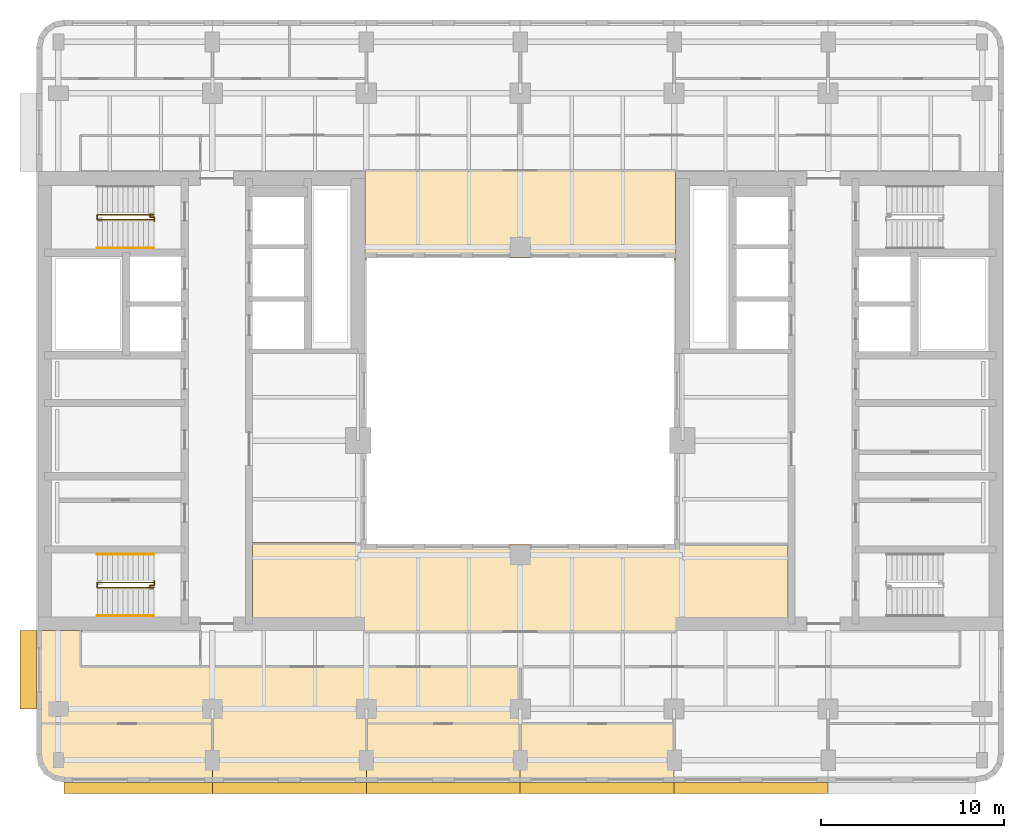
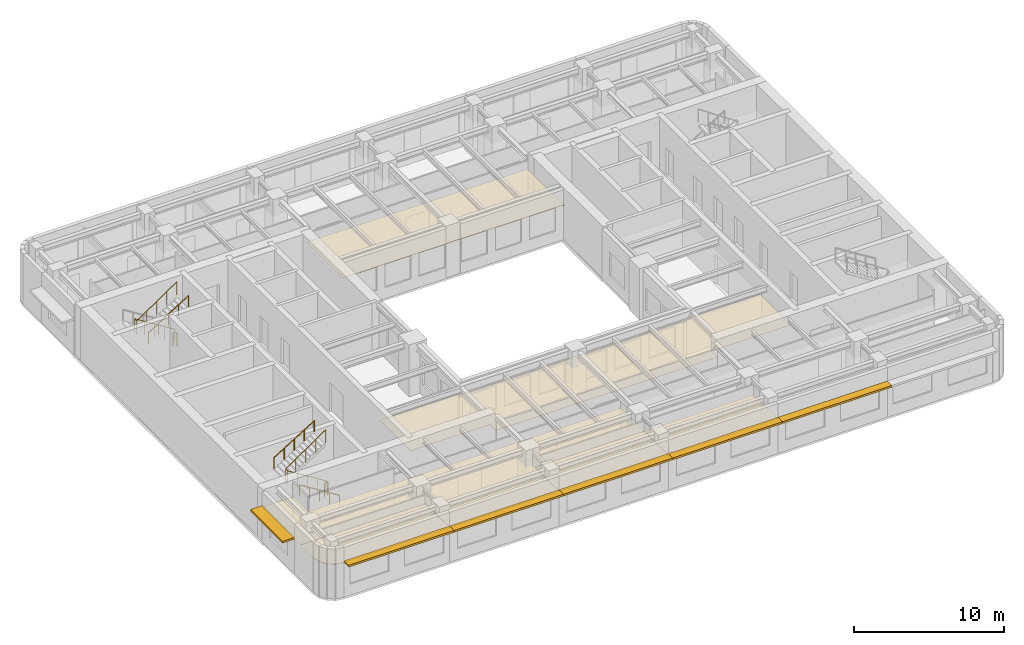
# One storey, part 9 of 11: 7 railings, 6 coverings, 6 shading devices.
"""IFC4 building model written with IfcOpenShell, lengths in metres."""

from ifc_helpers import new_model, si_unit, direction, frame, origin, origin_2d, place, context, subcontext, project, spatial, polyline, rectangle, circle, outline, extrude, material, layer, layer_set, type_object, element, save


model = new_model("IFC4")

# Units and contexts
model_context = context("Model", 3, precision=1e-05, world=origin(), true_north=direction((0.0, 1.0)))
body_context = subcontext(model_context, "Body", "Model", "MODEL_VIEW")
ifc_project = project(units=[si_unit("LENGTHUNIT", "METRE"), si_unit("AREAUNIT", "SQUARE_METRE"), si_unit("VOLUMEUNIT", "CUBIC_METRE"), si_unit("PLANEANGLEUNIT", "RADIAN"), si_unit("MASSUNIT", "GRAM", prefix="KILO")], contexts=[model_context])

# Site, building, storey
site_placement = place(None, origin())
site = spatial("IfcSite", under=ifc_project, at=site_placement, CompositionType="ELEMENT")
building_placement = place(site_placement, origin())
building = spatial("IfcBuilding", under=site, at=building_placement, Name="Claustro Exchange Tower", CompositionType="ELEMENT")
storey_placement = place(building_placement, frame((0.0, 0.0, 194.39990234375)))
storey = spatial("IfcBuildingStorey", under=building, at=storey_placement, Name="L44", CompositionType="ELEMENT", Elevation=194.39990234375)

# Coverings
ifc_material_1 = material(Name="Perforated metal ceiling tiles", Category="steel")
ifc_layer_1 = layer(ifc_material_1, 0.030029296875)
ifc_layer_set_1 = layer_set([ifc_layer_1], Name="Perforated metal ceiling tiles")
covering_type_1 = type_object("IfcCoveringType", Name="CL1 suspended metal ceiling", PredefinedType="CEILING", material=ifc_layer_set_1)
covering_1_placement = place(storey_placement, frame((0.0, 0.0, 2.800048828125)))
element("IfcCovering", 1, at=covering_1_placement, inside=storey, type_object=covering_type_1, Name="Ceiling CL1 L44-05", PredefinedType="CEILING", context=body_context, shape_type="SweptSolid", body=[
    extrude(outline(polyline([(1.199951171875, 10.699951171875), (1.199951171875, 12.60009765625), (1.294921875, 12.60009765625), (1.294921875, 12.675048828125), (-1.125, 12.675048828125), (-1.125, 12.695068359375), (-1.199951171875, 12.695068359375), (-1.199951171875, 7.60009765625), (8.39990234375, 7.60009765625), (8.39990234375, 4.39990234375), (16.800048828125, 4.39990234375), (16.800048828125, 7.60009765625), (25.199951171875, 7.60009765625), (25.199951171875, 10.699951171875), (1.199951171875, 10.699951171875)])), origin(), (0.0, 0.0, 1.0), 0.030029296875),
])
ifc_material_2 = material(Name="Gypsum board ceiling", Category="gypsum board")
ifc_layer_2 = layer(ifc_material_2, 0.02490234375)
ifc_layer_set_2 = layer_set([ifc_layer_2], Name="Gypsum board ceiling")
covering_type_2 = type_object("IfcCoveringType", Name="CL2 plasterboard ceiling", PredefinedType="CEILING", material=ifc_layer_set_2)
covering_2_placement = place(storey_placement, frame((0.0, 0.0, 2.800048828125)))
element("IfcCovering", 2, at=covering_2_placement, inside=storey, type_object=covering_type_2, Name="Ceiling CL2 L44-01", PredefinedType="CEILING", context=body_context, shape_type="SweptSolid", body=[
    extrude(outline(polyline([(-1.085693359375, 5.325927734375), (-0.7607421875, 4.83935546875), (-0.27392578125, 4.51416015625), (0.300048828125, 4.39990234375), (8.39990234375, 4.39990234375), (8.39990234375, 7.60009765625), (-1.199951171875, 7.60009765625), (-1.199951171875, 5.89990234375), (-1.085693359375, 5.325927734375)])), origin(), (0.0, 0.0, 1.0), 0.025146484375),
])
covering_3_placement = place(storey_placement, frame((0.0, 0.0, 2.800048828125)))
element("IfcCovering", 3, at=covering_3_placement, inside=storey, type_object=covering_type_2, Name="Ceiling CL2 L44-02", PredefinedType="CEILING", context=body_context, shape_type="SweptSolid", body=[
    extrude(outline(polyline([(16.800048828125, 4.39990234375), (25.199951171875, 4.39990234375), (25.199951171875, 7.60009765625), (16.800048828125, 7.60009765625), (16.800048828125, 4.39990234375)])), origin(), (0.0, 0.0, 1.0), 0.025146484375),
])
covering_4_placement = place(storey_placement, frame((0.0, 0.0, 2.800048828125)))
element("IfcCovering", 4, at=covering_4_placement, inside=storey, type_object=covering_type_2, Name="Ceiling CL2 L44-03", PredefinedType="CEILING", context=body_context, shape_type="SweptSolid", body=[
    extrude(outline(polyline([(25.199951171875, 4.39990234375), (33.60009765625, 4.39990234375), (33.60009765625, 7.60009765625), (25.199951171875, 7.60009765625), (25.199951171875, 4.39990234375)])), origin(), (0.0, 0.0, 1.0), 0.025146484375),
])
covering_5_placement = place(storey_placement, frame((0.0, 0.0, 2.800048828125)))
element("IfcCovering", 5, at=covering_5_placement, inside=storey, type_object=covering_type_2, Name="Ceiling CL2 L44-09", PredefinedType="CEILING", context=body_context, shape_type="SweptSolid", body=[
    extrude(outline(polyline([(33.60009765625, 17.39990234375), (16.800048828125, 17.39990234375), (16.800048828125, 17.4951171875), (10.60009765625, 17.4951171875), (10.60009765625, 13.405029296875), (16.705078125, 13.405029296875), (16.705078125, 12.60009765625), (33.695068359375, 12.60009765625), (33.695068359375, 13.405029296875), (39.800048828125, 13.405029296875), (39.800048828125, 17.4951171875), (33.60009765625, 17.4951171875), (33.60009765625, 17.39990234375)])), origin(), (0.0, 0.0, 1.0), 0.025146484375),
])
covering_6_placement = place(storey_placement, frame((0.0, 0.0, 2.800048828125)))
element("IfcCovering", 6, at=covering_6_placement, inside=storey, type_object=covering_type_2, Name="Ceiling CL2 L44-12", PredefinedType="CEILING", context=body_context, shape_type="SweptSolid", body=[
    extrude(outline(polyline([(16.72509765625, 37.72509765625), (16.72509765625, 32.905029296875), (16.800048828125, 32.905029296875), (16.800048828125, 33.0), (33.60009765625, 33.0), (33.60009765625, 32.905029296875), (33.675048828125, 32.905029296875), (33.675048828125, 37.72509765625), (33.695068359375, 37.72509765625), (33.695068359375, 37.800048828125), (16.705078125, 37.800048828125), (16.705078125, 37.72509765625), (16.72509765625, 37.72509765625)])), origin(), (0.0, 0.0, 1.0), 0.025146484375),
])

# Railings
ifc_material_3 = material(Name="Steel balustrade, painted", Category="steel")
railing_type_1 = type_object("IfcRailingType", Name="GR2 1100 steel stair guard", PredefinedType="GUARDRAIL", material=ifc_material_3)
railing_1_placement = place(storey_placement, frame((5.199951171875, 15.02490234375, 0.175048828125)))
element("IfcRailing", 7, at=railing_1_placement, inside=storey, type_object=railing_type_1, Name="Stair well guard GR2 stair STWA L44", PredefinedType="GUARDRAIL", context=body_context, shape_type="SweptSolid", body=[
    extrude(circle(Radius=0.02392578125, at=origin_2d()), frame((0.0, 0.0, 1.076171875), z_axis=(-0.847979421464, 0.0, 0.530029150871), x_axis=(0.0, -1.0, 0.0)), (0.0, 0.0, 1.0), 3.632080078125),
    extrude(circle(Radius=0.02392578125, at=origin_2d()), frame((-3.079833984375, 0.0, 3.0009765625), z_axis=(0.0, 1.0, 0.0), x_axis=(-1.0, 0.0, 0.0)), (0.0, 0.0, 1.0), 0.275146484375),
    extrude(circle(Radius=0.02392578125, at=origin_2d()), frame((-3.079833984375, 0.275146484375, 3.0009765625), z_axis=(0.826201015165, 0.0, 0.563375436579), x_axis=(0.0, 1.0, 0.0)), (0.0, 0.0, 1.0), 3.727783203125),
    extrude(circle(Radius=0.02099609375, at=origin_2d()), origin(), (0.0, 0.0, 1.0), 1.052001953125),
    extrude(circle(Radius=0.02099609375, at=origin_2d()), frame((-0.77001953125, 0.0, 0.481201171875)), (0.0, 0.0, 1.0), 1.052001953125),
    extrude(circle(Radius=0.02099609375, at=origin_2d()), frame((-1.5400390625, 0.0, 0.96240234375)), (0.0, 0.0, 1.0), 1.052001953125),
    extrude(circle(Radius=0.02099609375, at=origin_2d()), frame((-2.309814453125, 0.0, 1.44384765625)), (0.0, 0.0, 1.0), 1.052001953125),
    extrude(circle(Radius=0.02099609375, at=origin_2d()), frame((-3.079833984375, 0.0, 1.925048828125)), (0.0, 0.0, 1.0), 1.052001953125),
    extrude(circle(Radius=0.02099609375, at=origin_2d()), frame((-3.079833984375, 0.275146484375, 1.925048828125)), (0.0, 0.0, 1.0), 1.052001953125),
    extrude(circle(Radius=0.02099609375, at=origin_2d()), frame((-2.309814453125, 0.275146484375, 2.4501953125)), (0.0, 0.0, 1.0), 1.052001953125),
    extrude(circle(Radius=0.02099609375, at=origin_2d()), frame((-1.5400390625, 0.275146484375, 2.97509765625)), (0.0, 0.0, 1.0), 1.052001953125),
    extrude(circle(Radius=0.02099609375, at=origin_2d()), frame((-0.77001953125, 0.275146484375, 3.5)), (0.0, 0.0, 1.0), 1.052001953125),
    extrude(circle(Radius=0.02099609375, at=origin_2d()), frame((0.0, 0.275146484375, 4.025146484375)), (0.0, 0.0, 1.0), 1.052001953125),
])
railing_2_placement = place(storey_placement, frame((5.0, 15.094970703125, 0.0)))
element("IfcRailing", 8, at=railing_2_placement, inside=storey, type_object=railing_type_1, Name="Stair guard GR2 STWA L44", PredefinedType="GUARDRAIL", context=body_context, shape_type="SweptSolid", body=[
    extrude(circle(Radius=0.02392578125, at=origin_2d()), frame((0.0, 0.0, 1.076171875), z_axis=(0.0, 1.0, 0.0), x_axis=(-1.0, 0.0, 0.0)), (0.0, 0.0, 1.0), 0.067626953125),
    extrude(circle(Radius=0.02392578125, at=origin_2d()), frame((0.0, 0.067626953125, 1.076171875), z_axis=(1.0, 0.0, 0.0), x_axis=(0.0, 1.0, 0.0)), (0.0, 0.0, 1.0), 0.22509765625),
    extrude(circle(Radius=0.02392578125, at=origin_2d()), frame((0.22509765625, 0.067626953125, 1.076171875), z_axis=(0.0, 1.0, 0.0), x_axis=(-1.0, 0.0, 0.0)), (0.0, 0.0, 1.0), 0.21728515625),
    extrude(circle(Radius=0.02099609375, at=origin_2d()), origin(), (0.0, 0.0, 1.0), 1.052001953125),
    extrude(circle(Radius=0.02099609375, at=origin_2d()), frame((0.0, 0.067626953125, 0.0)), (0.0, 0.0, 1.0), 1.052001953125),
    extrude(circle(Radius=0.02099609375, at=origin_2d()), frame((0.22509765625, 0.067626953125, 0.0)), (0.0, 0.0, 1.0), 1.052001953125),
    extrude(circle(Radius=0.02099609375, at=origin_2d()), frame((0.22509765625, 0.284912109375, 0.0)), (0.0, 0.0, 1.0), 1.052001953125),
])
railing_3_placement = place(storey_placement, frame((5.199951171875, 35.375, 0.175048828125)))
element("IfcRailing", 9, at=railing_3_placement, inside=storey, type_object=railing_type_1, Name="Stair well guard GR2 stair STWB L44", PredefinedType="GUARDRAIL", context=body_context, shape_type="SweptSolid", body=[
    extrude(circle(Radius=0.02392578125, at=origin_2d()), frame((0.0, 0.0, 1.076171875), z_axis=(-0.847979421464, 0.0, 0.530029150871), x_axis=(0.0, -1.0, 0.0)), (0.0, 0.0, 1.0), 3.632080078125),
    extrude(circle(Radius=0.02392578125, at=origin_2d()), frame((-3.079833984375, 0.0, 3.0009765625), z_axis=(0.0, -1.0, 0.0), x_axis=(1.0, 0.0, 0.0)), (0.0, 0.0, 1.0), 0.27490234375),
    extrude(circle(Radius=0.02392578125, at=origin_2d()), frame((-3.079833984375, -0.27490234375, 3.0009765625), z_axis=(0.826201015165, 0.0, 0.563375436579), x_axis=(0.0, 1.0, 0.0)), (0.0, 0.0, 1.0), 3.727783203125),
    extrude(circle(Radius=0.02099609375, at=origin_2d()), origin(), (0.0, 0.0, 1.0), 1.052001953125),
    extrude(circle(Radius=0.02099609375, at=origin_2d()), frame((-0.77001953125, 0.0, 0.481201171875)), (0.0, 0.0, 1.0), 1.052001953125),
    extrude(circle(Radius=0.02099609375, at=origin_2d()), frame((-1.5400390625, 0.0, 0.96240234375)), (0.0, 0.0, 1.0), 1.052001953125),
    extrude(circle(Radius=0.02099609375, at=origin_2d()), frame((-2.309814453125, 0.0, 1.44384765625)), (0.0, 0.0, 1.0), 1.052001953125),
    extrude(circle(Radius=0.02099609375, at=origin_2d()), frame((-3.079833984375, 0.0, 1.925048828125)), (0.0, 0.0, 1.0), 1.052001953125),
    extrude(circle(Radius=0.02099609375, at=origin_2d()), frame((-3.079833984375, -0.27490234375, 1.925048828125)), (0.0, 0.0, 1.0), 1.052001953125),
    extrude(circle(Radius=0.02099609375, at=origin_2d()), frame((-2.309814453125, -0.27490234375, 2.4501953125)), (0.0, 0.0, 1.0), 1.052001953125),
    extrude(circle(Radius=0.02099609375, at=origin_2d()), frame((-1.5400390625, -0.27490234375, 2.97509765625)), (0.0, 0.0, 1.0), 1.052001953125),
    extrude(circle(Radius=0.02099609375, at=origin_2d()), frame((-0.77001953125, -0.27490234375, 3.5)), (0.0, 0.0, 1.0), 1.052001953125),
    extrude(circle(Radius=0.02099609375, at=origin_2d()), frame((0.0, -0.27490234375, 4.025146484375)), (0.0, 0.0, 1.0), 1.052001953125),
])
railing_4_placement = place(storey_placement, frame((5.0, 35.304931640625, 0.0)))
element("IfcRailing", 10, at=railing_4_placement, inside=storey, type_object=railing_type_1, Name="Stair guard GR2 STWB L44", PredefinedType="GUARDRAIL", context=body_context, shape_type="SweptSolid", body=[
    extrude(circle(Radius=0.02392578125, at=origin_2d()), frame((0.0, 0.0, 1.076171875), z_axis=(0.0, -1.0, 0.0), x_axis=(1.0, 0.0, 0.0)), (0.0, 0.0, 1.0), 0.0673828125),
    extrude(circle(Radius=0.02392578125, at=origin_2d()), frame((0.0, -0.0673828125, 1.076171875), z_axis=(1.0, 0.0, 0.0), x_axis=(0.0, 1.0, 0.0)), (0.0, 0.0, 1.0), 0.22509765625),
    extrude(circle(Radius=0.02392578125, at=origin_2d()), frame((0.22509765625, -0.0673828125, 1.076171875), z_axis=(0.0, -1.0, 0.0), x_axis=(1.0, 0.0, 0.0)), (0.0, 0.0, 1.0), 0.217529296875),
    extrude(circle(Radius=0.02099609375, at=origin_2d()), origin(), (0.0, 0.0, 1.0), 1.052001953125),
    extrude(circle(Radius=0.02099609375, at=origin_2d()), frame((0.0, -0.0673828125, 0.0)), (0.0, 0.0, 1.0), 1.052001953125),
    extrude(circle(Radius=0.02099609375, at=origin_2d()), frame((0.22509765625, -0.0673828125, 0.0)), (0.0, 0.0, 1.0), 1.052001953125),
    extrude(circle(Radius=0.02099609375, at=origin_2d()), frame((0.22509765625, -0.284912109375, 0.0)), (0.0, 0.0, 1.0), 1.052001953125),
])
ifc_material_4 = material(Name="Stainless steel tube", Category="steel")
railing_type_2 = type_object("IfcRailingType", Name="HR1 900 stair handrail", PredefinedType="HANDRAIL", material=ifc_material_4)
railing_5_placement = place(storey_placement, frame((5.199951171875, 13.485107421875, 0.175048828125)))
element("IfcRailing", 11, at=railing_5_placement, inside=storey, type_object=railing_type_2, Name="Handrail HR1 stair STWA L44", PredefinedType="HANDRAIL", context=body_context, shape_type="SweptSolid", body=[
    extrude(circle(Radius=0.02392578125, at=origin_2d()), frame((0.0, 0.0, 0.8759765625), z_axis=(-0.847979421464, 0.0, 0.530029150871), x_axis=(0.0, -1.0, 0.0)), (0.0, 0.0, 1.0), 3.632080078125),
    extrude(circle(Radius=0.02099609375, at=origin_2d()), origin(), (0.0, 0.0, 1.0), 0.851806640625),
    extrude(circle(Radius=0.02099609375, at=origin_2d()), frame((-0.77001953125, 0.0, 0.481201171875)), (0.0, 0.0, 1.0), 0.851806640625),
    extrude(circle(Radius=0.02099609375, at=origin_2d()), frame((-1.5400390625, 0.0, 0.96240234375)), (0.0, 0.0, 1.0), 0.851806640625),
    extrude(circle(Radius=0.02099609375, at=origin_2d()), frame((-2.309814453125, 0.0, 1.44384765625)), (0.0, 0.0, 1.0), 0.851806640625),
    extrude(circle(Radius=0.02099609375, at=origin_2d()), frame((-3.079833984375, 0.0, 1.925048828125)), (0.0, 0.0, 1.0), 0.851806640625),
])
for number, where, name in (
    (12, (2.1201171875, 16.840087890625, 2.275146484375), "Handrail HR1 stair STWA L44"),
    (13, (2.1201171875, 33.56005859375, 2.275146484375), "Handrail HR1 stair STWB L44"),
):
    element("IfcRailing", number, at=place(storey_placement, frame(where)), inside=storey, type_object=railing_type_2, Name=name, PredefinedType="HANDRAIL", context=body_context, shape_type="SweptSolid", body=[
        extrude(circle(Radius=0.02392578125, at=origin_2d()), frame((0.0, 0.0, 0.8759765625), z_axis=(0.847979421464, 0.0, 0.530029150871), x_axis=(0.0, 1.0, 0.0)), (0.0, 0.0, 1.0), 3.632080078125),
        extrude(circle(Radius=0.02099609375, at=origin_2d()), origin(), (0.0, 0.0, 1.0), 0.851806640625),
        extrude(circle(Radius=0.02099609375, at=origin_2d()), frame((0.77001953125, 0.0, 0.481201171875)), (0.0, 0.0, 1.0), 0.851806640625),
        extrude(circle(Radius=0.02099609375, at=origin_2d()), frame((1.5400390625, 0.0, 0.96240234375)), (0.0, 0.0, 1.0), 0.851806640625),
        extrude(circle(Radius=0.02099609375, at=origin_2d()), frame((2.309814453125, 0.0, 1.44384765625)), (0.0, 0.0, 1.0), 0.851806640625),
        extrude(circle(Radius=0.02099609375, at=origin_2d()), frame((3.079833984375, 0.0, 1.925048828125)), (0.0, 0.0, 1.0), 0.851806640625),
    ])

# Shading devices
ifc_material_5 = material(Name="Concrete HA-40 (C40/50), precast, white cement, acid-etched", Category="concrete")
ifc_layer_3 = layer(ifc_material_5, 0.14990234375)
ifc_layer_set_3 = layer_set([ifc_layer_3], Name="Concrete HA-40 (C40/50), precast, white cement, acid-etched")
shading_device_type_1 = type_object("IfcShadingDeviceType", Name="SS1 600 precast concrete SUNSHADE", PredefinedType="SHUTTER", material=ifc_layer_set_3)
for number, where, z_axis, x_axis, name in (
    (14, (37.800048828125, 4.10009765625, 2.800048828125), (0.0, 0.0, 1.0), (-1.0, 0.0, 0.0), "Precast SUNSHADE SS1 L44"),
    (15, (29.39990234375, 4.10009765625, 2.800048828125), (0.0, 0.0, 1.0), (-1.0, 0.0, 0.0), "Precast SUNSHADE SS1 L44"),
    (16, (21.0, 4.10009765625, 2.800048828125), (0.0, 0.0, 1.0), (-1.0, 0.0, 0.0), "Precast SUNSHADE SS1 L44"),
    (17, (12.60009765625, 4.10009765625, 2.800048828125), (0.0, 0.0, 1.0), (-1.0, 0.0, 0.0), "Precast SUNSHADE SS1 L44"),
):
    element("IfcShadingDevice", number, at=place(storey_placement, frame(where, z_axis=z_axis, x_axis=x_axis)), inside=storey, type_object=shading_device_type_1, Name=name, PredefinedType="SHUTTER", context=body_context, shape_type="SweptSolid", body=[
        extrude(rectangle(XDim=8.39990234375, YDim=0.60009765625, at=origin_2d()), origin(), (0.0, 0.0, 1.0), 0.14990234375),
    ])
shading_device_1_placement = place(storey_placement, frame((4.357421875, 4.10009765625, 2.800048828125), z_axis=(0.0, 0.0, 1.0), x_axis=(-1.0, 0.0, 0.0)))
element("IfcShadingDevice", 18, at=shading_device_1_placement, inside=storey, type_object=shading_device_type_1, Name="Precast SUNSHADE SS1 L44", PredefinedType="SHUTTER", context=body_context, shape_type="SweptSolid", body=[
    extrude(rectangle(XDim=8.085205078125, YDim=0.60009765625, at=origin_2d()), origin(), (0.0, 0.0, 1.0), 0.14990234375),
])
ifc_material_6 = material(Name="Concrete HA-40 (C40/50), precast, white cement, acid-etched", Category="concrete")
ifc_layer_4 = layer(ifc_material_6, 0.14990234375)
ifc_layer_set_4 = layer_set([ifc_layer_4], Name="Concrete HA-40 (C40/50), precast, white cement, acid-etched")
shading_device_type_2 = type_object("IfcShadingDeviceType", Name="SS2 900 precast concrete SUNSHADE", PredefinedType="SHUTTER", material=ifc_layer_set_4)
shading_device_2_placement = place(storey_placement, frame((-1.64990234375, 10.53759765625, 2.800048828125), z_axis=(0.0, 0.0, 1.0), x_axis=(0.0, 1.0, 0.0)))
element("IfcShadingDevice", 19, at=shading_device_2_placement, inside=storey, type_object=shading_device_type_2, Name="Precast SUNSHADE SS2 L44", PredefinedType="SHUTTER", context=body_context, shape_type="SweptSolid", body=[
    extrude(rectangle(XDim=4.27490234375, YDim=0.89990234375, at=origin_2d()), origin(), (0.0, 0.0, 1.0), 0.14990234375),
])

save(model, "model.ifc")
